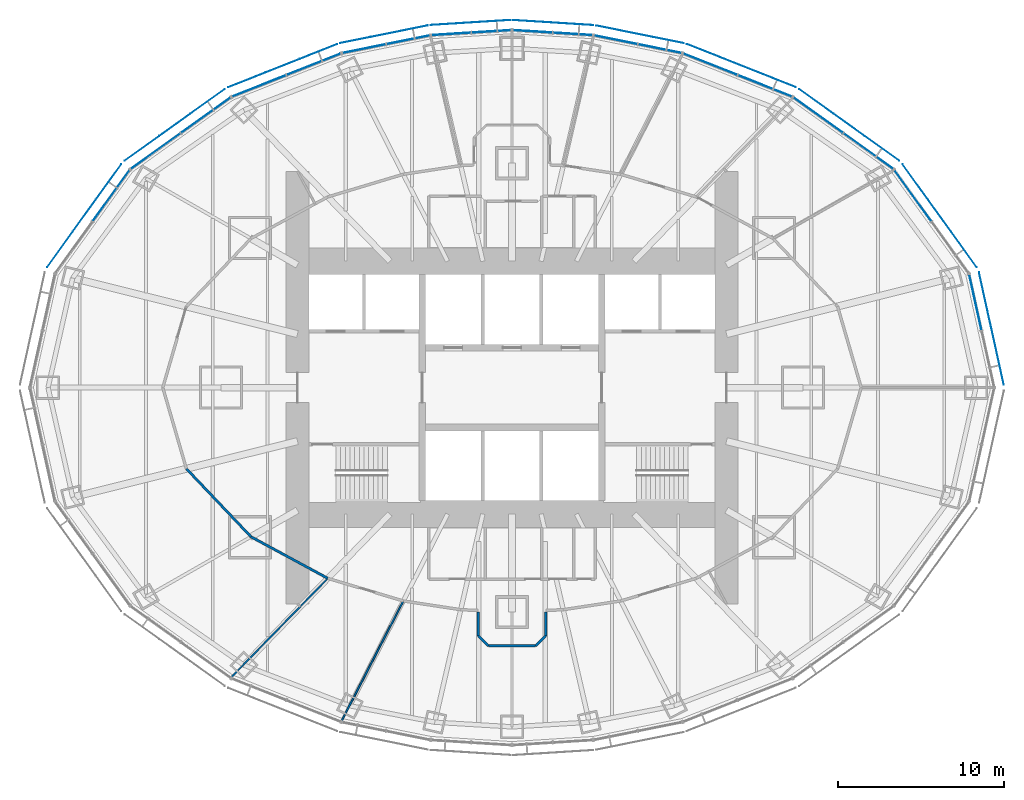
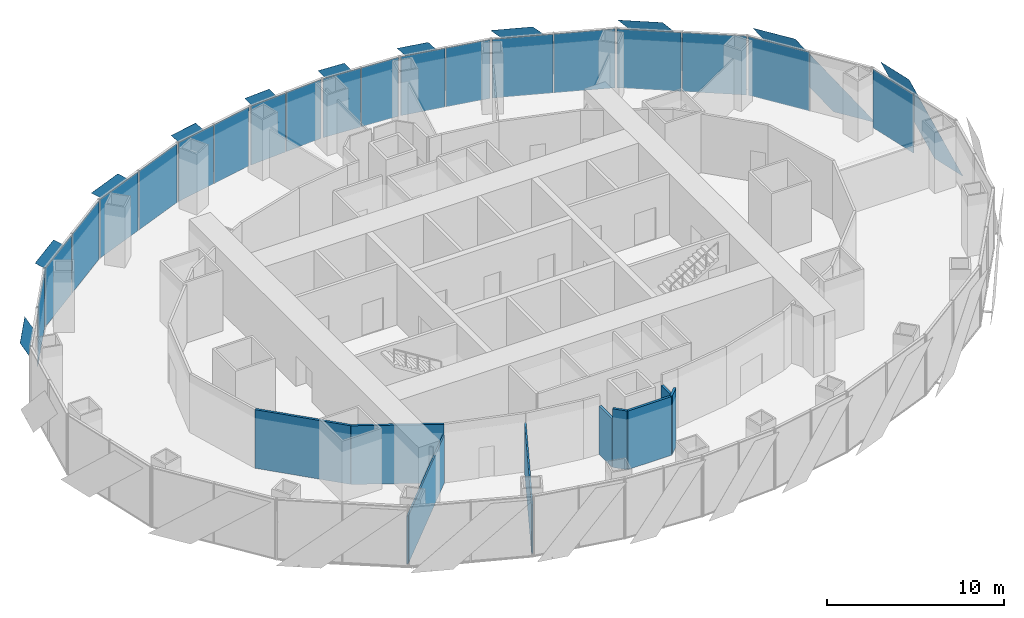
# One storey, part 10 of 18: 30 plates, 9 walls, 11 elements without a shape of their own.
"""IFC4 building model written with IfcOpenShell, lengths in metres."""

import ifcopenshell
import ifcopenshell.guid

model = None  # the IFC model being written
_history = None  # IfcOwnerHistory: only IFC2X3 demands one
_inside = {}  # id of a spatial element -> (the spatial element, [elements in it])
_under = {}  # id of a project, library or spatial element -> (it, [spatial elements below it])
_declared = {}  # id of a project -> (the project, [libraries it declares])
_typed = {}  # id of a type object -> (the type object, [elements of that type])
_made_of = {}  # id of a material, layer set ... -> (it, [elements and type objects made of it])


def new_model(schema):
    """Start an empty IFC model of exactly this schema.

    Asked for "IFC4X3", IfcOpenShell would pick the latest addendum, in which some entities
    have other attributes; the version numbers below select the first issue.
    IFC2X3 requires an IfcOwnerHistory on every rooted entity: one is made here for all.
    """
    global model, _history
    if schema == "IFC4X3":
        model = ifcopenshell.file(schema_version=(4, 3, 0, 0))
    else:
        model = ifcopenshell.file(schema=schema)
    _inside.clear()
    _under.clear()
    _declared.clear()
    _typed.clear()
    _made_of.clear()
    _history = None
    if model.schema == "IFC2X3":
        org = make("IfcOrganization", Name="unknown")
        user = make(
            "IfcPersonAndOrganization",
            ThePerson=make("IfcPerson", FamilyName="unknown"),
            TheOrganization=org,
        )
        app = make(
            "IfcApplication",
            ApplicationDeveloper=org,
            Version="unknown",
            ApplicationFullName="unknown",
            ApplicationIdentifier="unknown",
        )
        _history = make(
            "IfcOwnerHistory",
            OwningUser=user,
            OwningApplication=app,
            ChangeAction="ADDED",
            CreationDate=0,
        )
    return model


def make(cls, **values):
    """One entity of the class cls with the attributes given. An attribute that is None is left unset."""
    return model.create_entity(
        cls, **{name: value for name, value in values.items() if value is not None}
    )


def rooted(cls, **values):
    """An entity with a GlobalId (a new one), such as an element, a storey or a relation."""
    return make(cls, GlobalId=ifcopenshell.guid.new(), OwnerHistory=_history, **values)


def si_unit(unit_type, name, prefix=None):
    """IfcSIUnit, for example si_unit("LENGTHUNIT", "METRE", prefix="MILLI")."""
    return make("IfcSIUnit", UnitType=unit_type, Prefix=prefix, Name=name)


def assignment(units):
    """IfcUnitAssignment: the units of a project."""
    return None if units is None else make("IfcUnitAssignment", Units=units)


def point(xyz):
    """IfcCartesianPoint."""
    return None if xyz is None else make("IfcCartesianPoint", Coordinates=xyz)


def direction(xyz):
    """IfcDirection."""
    return None if xyz is None else make("IfcDirection", DirectionRatios=xyz)


def frame(location, z_axis=None, x_axis=None):
    """IfcAxis2Placement3D, a coordinate frame: its origin and axes. An axis left out is left unset."""
    return make(
        "IfcAxis2Placement3D",
        Location=point(location),
        Axis=direction(z_axis),
        RefDirection=direction(x_axis),
    )


def frame_2d(location, x_axis=None):
    """IfcAxis2Placement2D, a coordinate frame in the plane: its origin and x axis."""
    return make(
        "IfcAxis2Placement2D", Location=point(location), RefDirection=direction(x_axis)
    )


def origin():
    """The frame at (0, 0, 0) with its axes left unset."""
    return frame((0.0, 0.0, 0.0))


def origin_2d():
    """The frame at (0, 0) in the plane with its x axis left unset."""
    return frame_2d((0.0, 0.0))


def place(relative_to, where):
    """IfcLocalPlacement: puts the frame where relative to a parent placement (None: the world)."""
    return make(
        "IfcLocalPlacement", PlacementRelTo=relative_to, RelativePlacement=where
    )


def context(
    kind, dimensions, precision=None, world=None, true_north=None, identifier=None
):
    """IfcGeometricRepresentationContext, for example the 3D "Model" context."""
    return make(
        "IfcGeometricRepresentationContext",
        ContextIdentifier=identifier,
        ContextType=kind,
        CoordinateSpaceDimension=dimensions,
        Precision=precision,
        WorldCoordinateSystem=world,
        TrueNorth=true_north,
    )


def subcontext(parent, identifier, kind, view, scale=None):
    """IfcGeometricRepresentationSubContext, for example "Body" below "Model"."""
    return make(
        "IfcGeometricRepresentationSubContext",
        ContextIdentifier=identifier,
        ContextType=kind,
        ParentContext=parent,
        TargetScale=scale,
        TargetView=view,
    )


def project(units=None, contexts=None):
    """IfcProject with its units and contexts."""
    return rooted(
        "IfcProject",
        Name="project",
        RepresentationContexts=contexts,
        UnitsInContext=assignment(units),
    )


def spatial(cls, under=None, at=None, **own):
    """A site, building, storey or space (cls), placed at a placement, below another one or the project."""
    s = rooted(cls, ObjectPlacement=at, **own)
    if under is not None:
        _under.setdefault(under.id(), (under, []))[1].append(s)
    return s


def polyline(points):
    """IfcPolyline through the points."""
    return make("IfcPolyline", Points=[point(p) for p in points])


def profile(cls, at=None, kind="AREA", **sizes):
    """A parametric profile (cls). Its sizes go by their IFC names, for example OverallWidth=200.0."""
    return make(cls, ProfileType=kind, Position=at, **sizes)


def rectangle(**sizes):
    """IfcRectangleProfileDef."""
    return profile("IfcRectangleProfileDef", **sizes)


def outline(outer, holes=None, kind="AREA"):
    """IfcArbitraryClosedProfileDef: a profile drawn as a closed curve; with holes, ...WithVoids."""
    if holes is None:
        return make("IfcArbitraryClosedProfileDef", ProfileType=kind, OuterCurve=outer)
    return make(
        "IfcArbitraryProfileDefWithVoids",
        ProfileType=kind,
        OuterCurve=outer,
        InnerCurves=holes,
    )


def extrude(swept, where, along, depth):
    """IfcExtrudedAreaSolid: the profile swept, set in the frame where, extruded along a direction by depth."""
    return make(
        "IfcExtrudedAreaSolid",
        SweptArea=swept,
        Position=where,
        ExtrudedDirection=direction(along),
        Depth=depth,
    )


def shape(context_of_items, identifier, shape_type, items):
    """IfcShapeRepresentation: the items that make up one representation, for example the "Body"."""
    return make(
        "IfcShapeRepresentation",
        ContextOfItems=context_of_items,
        RepresentationIdentifier=identifier,
        RepresentationType=shape_type,
        Items=items,
    )


def material(Name=None, Category=None):
    """IfcMaterial."""
    return make("IfcMaterial", Name=Name, Category=Category)


def layer(
    of_material, thickness, ventilated=None, Name=None, Category=None, Priority=None
):
    """IfcMaterialLayer: one layer of a wall or slab, of a material (None: an air gap)."""
    return make(
        "IfcMaterialLayer",
        Material=of_material,
        LayerThickness=thickness,
        IsVentilated=ventilated,
        Name=Name,
        Category=Category,
        Priority=Priority,
    )


def layer_set(layers, Name=None):
    """IfcMaterialLayerSet."""
    return make("IfcMaterialLayerSet", MaterialLayers=layers, LayerSetName=Name)


def made_of(thing, what):
    """Note that an element or type object is made of a material, layer set ...; save() writes the relation."""
    if what is not None:
        _made_of.setdefault(what.id(), (what, []))[1].append(thing)
    return thing


def type_object(cls, material=None, **own):
    """A type object (cls), such as IfcWallType, which elements share."""
    return made_of(rooted(cls, **own), material)


def element(
    cls,
    number,
    at=None,
    inside=None,
    cuts=None,
    type_object=None,
    material=None,
    context=None,
    identifier="Body",
    shape_type=None,
    held_by="IfcProductDefinitionShape",
    body=None,
    shapes=None,
    **own,
):
    """One element of the class cls, such as IfcWall. Its Tag is "e" and its number.

    at: its placement. inside: the storey or other place that contains it. cuts: it is an
    opening in that element (IfcRelVoidsElement). A single representation is given by context,
    identifier, shape_type and body (its items); several are given by shapes. held_by: the class
    of the entity that holds the representations. save() writes the other relations.
    """
    e = rooted(cls, Tag="e%d" % number, ObjectPlacement=at, **own)
    if body is not None:
        shapes = [shape(context, identifier, shape_type, body)]
    if shapes is not None:
        e.Representation = make(held_by, Representations=shapes)
    if inside is not None:
        _inside.setdefault(inside.id(), (inside, []))[1].append(e)
    if cuts is not None:
        rooted(
            "IfcRelVoidsElement", RelatingBuildingElement=cuts, RelatedOpeningElement=e
        )
    if type_object is not None:
        _typed.setdefault(type_object.id(), (type_object, []))[1].append(e)
    return made_of(e, material)


def aggregate(whole, parts):
    """IfcRelAggregates: a whole, such as a stair, and the parts it consists of."""
    return rooted("IfcRelAggregates", RelatingObject=whole, RelatedObjects=parts)


def save(model, path):
    """Write the relations noted so far, then the file.

    IfcRelAggregates (storeys below a building ...), IfcRelContainedInSpatialStructure (elements
    in a storey), IfcRelDefinesByType, IfcRelAssociatesMaterial and IfcRelDeclares: one each for
    every whole, place, type object, material and project.
    """
    for whole, parts in _under.values():
        aggregate(whole, parts)
    for where, things in _inside.values():
        rooted(
            "IfcRelContainedInSpatialStructure",
            RelatedElements=things,
            RelatingStructure=where,
        )
    for kind, things in _typed.values():
        rooted("IfcRelDefinesByType", RelatedObjects=things, RelatingType=kind)
    for what, things in _made_of.values():
        rooted("IfcRelAssociatesMaterial", RelatedObjects=things, RelatingMaterial=what)
    for by, libraries in _declared.values():
        rooted("IfcRelDeclares", RelatingContext=by, RelatedDefinitions=libraries)
    model.write(path)


model = new_model("IFC4")

# Units and contexts
model_context = context("Model", 3, precision=1e-05, world=origin(), true_north=direction((0.0, 1.0)))
body_context = subcontext(model_context, "Body", "Model", "MODEL_VIEW")
ifc_project = project(units=[si_unit("LENGTHUNIT", "METRE"), si_unit("AREAUNIT", "SQUARE_METRE"), si_unit("VOLUMEUNIT", "CUBIC_METRE"), si_unit("PLANEANGLEUNIT", "RADIAN"), si_unit("MASSUNIT", "GRAM", prefix="KILO")], contexts=[model_context])

# Site, building, storey
site_placement = place(None, origin())
site = spatial("IfcSite", under=ifc_project, at=site_placement, CompositionType="ELEMENT")
building_placement = place(site_placement, origin())
building = spatial("IfcBuilding", under=site, at=building_placement, Name="Lantaw Convention Tower", CompositionType="ELEMENT")
storey_placement = place(building_placement, frame((0.0, 0.0, 184.60009765625)))
storey = spatial("IfcBuildingStorey", under=building, at=storey_placement, Name="L43", CompositionType="ELEMENT", Elevation=184.60009765625)

# Curtain wall, plate
ifc_material_1 = material(Name="Aluminium framed curtain wall", Category="aluminium")
curtain_wall_type = type_object("IfcCurtainWallType", Name="Office curtain wall low rise, pale aluminium", PredefinedType="USERDEFINED", material=ifc_material_1)
curtain_wall_1_placement = place(storey_placement, origin())
curtain_wall_1 = element("IfcCurtainWall", 1, at=curtain_wall_1_placement, inside=storey, type_object=curtain_wall_type, Name="Office curtain wall low rise, pale aluminium L43", ObjectType="UNITISED CURTAIN WALL", PredefinedType="USERDEFINED")
ifc_material_2 = material(Name="Clear insulating glass", Category="glass")
ifc_layer_1 = layer(ifc_material_2, 0.028076171875)
ifc_layer_set_1 = layer_set([ifc_layer_1], Name="CW-O1 panel 28")
plate_type_1 = type_object("IfcPlateType", Name="CW-O1 panel 28", PredefinedType="CURTAIN_PANEL", material=ifc_layer_set_1)
plate_1_placement = place(storey_placement, frame((27.868896484375, 5.1240234375, -0.0849609375), z_axis=(0.0, 0.0, 1.0), x_axis=(-0.215546166174, 0.9764936509, 0.0)))
plate_1 = element("IfcPlate", 2, at=plate_1_placement, type_object=plate_type_1, Name="CW-O1 panel 2.1", PredefinedType="CURTAIN_PANEL", context=body_context, shape_type="SweptSolid", body=[
    extrude(rectangle(XDim=3.41162109375, YDim=0.028076171875, at=origin_2d()), origin(), (0.0, 0.0, 1.0), 4.070068359375),
])
aggregate(curtain_wall_1, [plate_1])

curtain_wall_2_placement = place(storey_placement, origin())
curtain_wall_2 = element("IfcCurtainWall", 3, at=curtain_wall_2_placement, inside=storey, type_object=curtain_wall_type, Name="Office curtain wall low rise, pale aluminium L43", ObjectType="UNITISED CURTAIN WALL", PredefinedType="USERDEFINED")
plate_2_placement = place(storey_placement, frame((24.108154296875, 11.5439453125, -0.0849609375), z_axis=(0.0, 0.0, 1.0), x_axis=(-0.584512597221, 0.811384633629, 0.0)))
plate_2 = element("IfcPlate", 4, at=plate_2_placement, type_object=plate_type_1, Name="CW-O1 panel 2.1", PredefinedType="CURTAIN_PANEL", context=body_context, shape_type="SweptSolid", body=[
    extrude(rectangle(XDim=3.767333984375, YDim=0.028076171875, at=origin_2d()), origin(), (0.0, 0.0, 1.0), 4.070068359375),
])
aggregate(curtain_wall_2, [plate_2])

# Curtain wall, plates
curtain_wall_3_placement = place(storey_placement, origin())
curtain_wall_3 = element("IfcCurtainWall", 5, at=curtain_wall_3_placement, inside=storey, type_object=curtain_wall_type, Name="Office curtain wall low rise, pale aluminium L43", ObjectType="UNITISED CURTAIN WALL", PredefinedType="USERDEFINED")
plate_3_placement = place(storey_placement, frame((21.43408203125, 14.2236328125, -0.0849609375), z_axis=(0.0, 0.0, 1.0), x_axis=(-0.813208325995, 0.581972695693, 0.0)))
plate_3 = element("IfcPlate", 6, at=plate_3_placement, type_object=plate_type_1, Name="CW-O1 panel 1.1", PredefinedType="CURTAIN_PANEL", context=body_context, shape_type="SweptSolid", body=[
    extrude(rectangle(XDim=3.645263671875, YDim=0.028076171875, at=origin_2d()), origin(), (0.0, 0.0, 1.0), 4.070068359375),
])
plate_4_placement = place(storey_placement, frame((18.416748046875, 16.383056640625, -0.0849609375), z_axis=(0.0, 0.0, 1.0), x_axis=(-0.813208325995, 0.581972695693, 0.0)))
plate_4 = element("IfcPlate", 7, at=plate_4_placement, type_object=plate_type_1, Name="CW-O1 panel 2.1", PredefinedType="CURTAIN_PANEL", context=body_context, shape_type="SweptSolid", body=[
    extrude(rectangle(XDim=3.645263671875, YDim=0.028076171875, at=origin_2d()), origin(), (0.0, 0.0, 1.0), 4.070068359375),
])
aggregate(curtain_wall_3, [plate_3, plate_4])

curtain_wall_4_placement = place(storey_placement, origin())
curtain_wall_4 = element("IfcCurtainWall", 8, at=curtain_wall_4_placement, inside=storey, type_object=curtain_wall_type, Name="Office curtain wall low rise, pale aluminium L43", ObjectType="UNITISED CURTAIN WALL", PredefinedType="USERDEFINED")
plate_5_placement = place(storey_placement, frame((15.208251953125, 18.145263671875, -0.0849609375), z_axis=(0.0, 0.0, 1.0), x_axis=(-0.929547687544, 0.368701907483, 0.0)))
plate_5 = element("IfcPlate", 9, at=plate_5_placement, type_object=plate_type_1, Name="CW-O1 panel 1.1", PredefinedType="CURTAIN_PANEL", context=body_context, shape_type="SweptSolid", body=[
    extrude(rectangle(XDim=3.470703125, YDim=0.028076171875, at=origin_2d()), origin(), (0.0, 0.0, 1.0), 4.070068359375),
])
plate_6_placement = place(storey_placement, frame((11.921630859375, 19.448974609375, -0.0849609375), z_axis=(0.0, 0.0, 1.0), x_axis=(-0.929547687544, 0.368701907483, 0.0)))
plate_6 = element("IfcPlate", 10, at=plate_6_placement, type_object=plate_type_1, Name="CW-O1 panel 2.1", PredefinedType="CURTAIN_PANEL", context=body_context, shape_type="SweptSolid", body=[
    extrude(rectangle(XDim=3.470703125, YDim=0.028076171875, at=origin_2d()), origin(), (0.0, 0.0, 1.0), 4.070068359375),
])
aggregate(curtain_wall_4, [plate_5, plate_6])

curtain_wall_5_placement = place(storey_placement, origin())
curtain_wall_5 = element("IfcCurtainWall", 11, at=curtain_wall_5_placement, inside=storey, type_object=curtain_wall_type, Name="Office curtain wall low rise, pale aluminium L43", ObjectType="UNITISED CURTAIN WALL", PredefinedType="USERDEFINED")
plate_7_placement = place(storey_placement, frame((8.893310546875, 20.3857421875, -0.0849609375), z_axis=(0.0, 0.0, 1.0), x_axis=(-0.980301514912, 0.197506809659, 0.0)))
plate_7 = element("IfcPlate", 12, at=plate_7_placement, type_object=plate_type_1, Name="CW-O1 panel 1.1", PredefinedType="CURTAIN_PANEL", context=body_context, shape_type="SweptSolid", body=[
    extrude(rectangle(XDim=2.634033203125, YDim=0.028076171875, at=origin_2d()), origin(), (0.0, 0.0, 1.0), 4.070068359375),
])
plate_8_placement = place(storey_placement, frame((6.247314453125, 20.9189453125, -0.0849609375), z_axis=(0.0, 0.0, 1.0), x_axis=(-0.980301514912, 0.197506809659, 0.0)))
plate_8 = element("IfcPlate", 13, at=plate_8_placement, type_object=plate_type_1, Name="CW-O1 panel 2.1", PredefinedType="CURTAIN_PANEL", context=body_context, shape_type="SweptSolid", body=[
    extrude(rectangle(XDim=2.634033203125, YDim=0.028076171875, at=origin_2d()), origin(), (0.0, 0.0, 1.0), 4.070068359375),
])
aggregate(curtain_wall_5, [plate_7, plate_8])

curtain_wall_6_placement = place(storey_placement, origin())
curtain_wall_6 = element("IfcCurtainWall", 14, at=curtain_wall_6_placement, inside=storey, type_object=curtain_wall_type, Name="Office curtain wall low rise, pale aluminium L43", ObjectType="UNITISED CURTAIN WALL", PredefinedType="USERDEFINED")
plate_9_placement = place(storey_placement, frame((3.653076171875, 21.269775390625, -0.0849609375), z_axis=(0.0, 0.0, 1.0), x_axis=(-0.998022035978, 0.062865059466, 0.0)))
plate_9 = element("IfcPlate", 15, at=plate_9_placement, type_object=plate_type_1, Name="CW-O1 panel 1.1", PredefinedType="CURTAIN_PANEL", context=body_context, shape_type="SweptSolid", body=[
    extrude(rectangle(XDim=2.353515625, YDim=0.028076171875, at=origin_2d()), origin(), (0.0, 0.0, 1.0), 4.070068359375),
])
plate_10_placement = place(storey_placement, frame((1.2392578125, 21.421875, -0.0849609375), z_axis=(0.0, 0.0, 1.0), x_axis=(-0.998022035978, 0.062865059466, 0.0)))
plate_10 = element("IfcPlate", 16, at=plate_10_placement, type_object=plate_type_1, Name="CW-O1 panel 2.1", PredefinedType="CURTAIN_PANEL", context=body_context, shape_type="SweptSolid", body=[
    extrude(rectangle(XDim=2.353515625, YDim=0.028076171875, at=origin_2d()), origin(), (0.0, 0.0, 1.0), 4.070068359375),
])
aggregate(curtain_wall_6, [plate_9, plate_10])

curtain_wall_7_placement = place(storey_placement, origin())
curtain_wall_7 = element("IfcCurtainWall", 17, at=curtain_wall_7_placement, inside=storey, type_object=curtain_wall_type, Name="Office curtain wall low rise, pale aluminium L43", ObjectType="UNITISED CURTAIN WALL", PredefinedType="USERDEFINED")
plate_11_placement = place(storey_placement, frame((-1.2392578125, 21.421875, -0.0849609375), z_axis=(0.0, 0.0, 1.0), x_axis=(-0.998022035978, -0.062865059466, 0.0)))
plate_11 = element("IfcPlate", 18, at=plate_11_placement, type_object=plate_type_1, Name="CW-O1 panel 1.1", PredefinedType="CURTAIN_PANEL", context=body_context, shape_type="SweptSolid", body=[
    extrude(rectangle(XDim=2.353515625, YDim=0.028076171875, at=origin_2d()), origin(), (0.0, 0.0, 1.0), 4.070068359375),
])
plate_12_placement = place(storey_placement, frame((-3.653076171875, 21.269775390625, -0.0849609375), z_axis=(0.0, 0.0, 1.0), x_axis=(-0.998022035978, -0.062865059466, 0.0)))
plate_12 = element("IfcPlate", 19, at=plate_12_placement, type_object=plate_type_1, Name="CW-O1 panel 2.1", PredefinedType="CURTAIN_PANEL", context=body_context, shape_type="SweptSolid", body=[
    extrude(rectangle(XDim=2.353515625, YDim=0.028076171875, at=origin_2d()), origin(), (0.0, 0.0, 1.0), 4.070068359375),
])
aggregate(curtain_wall_7, [plate_11, plate_12])

curtain_wall_8_placement = place(storey_placement, origin())
curtain_wall_8 = element("IfcCurtainWall", 20, at=curtain_wall_8_placement, inside=storey, type_object=curtain_wall_type, Name="Office curtain wall low rise, pale aluminium L43", ObjectType="UNITISED CURTAIN WALL", PredefinedType="USERDEFINED")
plate_13_placement = place(storey_placement, frame((-6.247314453125, 20.9189453125, -0.0849609375), z_axis=(0.0, 0.0, 1.0), x_axis=(-0.980301514912, -0.197506809659, 0.0)))
plate_13 = element("IfcPlate", 21, at=plate_13_placement, type_object=plate_type_1, Name="CW-O1 panel 1.1", PredefinedType="CURTAIN_PANEL", context=body_context, shape_type="SweptSolid", body=[
    extrude(rectangle(XDim=2.634033203125, YDim=0.028076171875, at=origin_2d()), origin(), (0.0, 0.0, 1.0), 4.070068359375),
])
plate_14_placement = place(storey_placement, frame((-8.893310546875, 20.3857421875, -0.0849609375), z_axis=(0.0, 0.0, 1.0), x_axis=(-0.980301514912, -0.197506809659, 0.0)))
plate_14 = element("IfcPlate", 22, at=plate_14_placement, type_object=plate_type_1, Name="CW-O1 panel 2.1", PredefinedType="CURTAIN_PANEL", context=body_context, shape_type="SweptSolid", body=[
    extrude(rectangle(XDim=2.634033203125, YDim=0.028076171875, at=origin_2d()), origin(), (0.0, 0.0, 1.0), 4.070068359375),
])
aggregate(curtain_wall_8, [plate_13, plate_14])

curtain_wall_9_placement = place(storey_placement, origin())
curtain_wall_9 = element("IfcCurtainWall", 23, at=curtain_wall_9_placement, inside=storey, type_object=curtain_wall_type, Name="Office curtain wall low rise, pale aluminium L43", ObjectType="UNITISED CURTAIN WALL", PredefinedType="USERDEFINED")
plate_15_placement = place(storey_placement, frame((-11.921630859375, 19.448974609375, -0.0849609375), z_axis=(0.0, 0.0, 1.0), x_axis=(-0.929547687544, -0.368701907483, 0.0)))
plate_15 = element("IfcPlate", 24, at=plate_15_placement, type_object=plate_type_1, Name="CW-O1 panel 1.1", PredefinedType="CURTAIN_PANEL", context=body_context, shape_type="SweptSolid", body=[
    extrude(rectangle(XDim=3.470703125, YDim=0.028076171875, at=origin_2d()), origin(), (0.0, 0.0, 1.0), 4.070068359375),
])
plate_16_placement = place(storey_placement, frame((-15.208251953125, 18.145263671875, -0.0849609375), z_axis=(0.0, 0.0, 1.0), x_axis=(-0.929547687544, -0.368701907483, 0.0)))
plate_16 = element("IfcPlate", 25, at=plate_16_placement, type_object=plate_type_1, Name="CW-O1 panel 2.1", PredefinedType="CURTAIN_PANEL", context=body_context, shape_type="SweptSolid", body=[
    extrude(rectangle(XDim=3.470703125, YDim=0.028076171875, at=origin_2d()), origin(), (0.0, 0.0, 1.0), 4.070068359375),
])
aggregate(curtain_wall_9, [plate_15, plate_16])

curtain_wall_10_placement = place(storey_placement, origin())
curtain_wall_10 = element("IfcCurtainWall", 26, at=curtain_wall_10_placement, inside=storey, type_object=curtain_wall_type, Name="Office curtain wall low rise, pale aluminium L43", ObjectType="UNITISED CURTAIN WALL", PredefinedType="USERDEFINED")
plate_17_placement = place(storey_placement, frame((-18.416748046875, 16.383056640625, -0.0849609375), z_axis=(0.0, 0.0, 1.0), x_axis=(-0.813208325995, -0.581972695693, 0.0)))
plate_17 = element("IfcPlate", 27, at=plate_17_placement, type_object=plate_type_1, Name="CW-O1 panel 1.1", PredefinedType="CURTAIN_PANEL", context=body_context, shape_type="SweptSolid", body=[
    extrude(rectangle(XDim=3.645263671875, YDim=0.028076171875, at=origin_2d()), origin(), (0.0, 0.0, 1.0), 4.070068359375),
])
plate_18_placement = place(storey_placement, frame((-21.43408203125, 14.2236328125, -0.0849609375), z_axis=(0.0, 0.0, 1.0), x_axis=(-0.813208325995, -0.581972695693, 0.0)))
plate_18 = element("IfcPlate", 28, at=plate_18_placement, type_object=plate_type_1, Name="CW-O1 panel 2.1", PredefinedType="CURTAIN_PANEL", context=body_context, shape_type="SweptSolid", body=[
    extrude(rectangle(XDim=3.645263671875, YDim=0.028076171875, at=origin_2d()), origin(), (0.0, 0.0, 1.0), 4.070068359375),
])
aggregate(curtain_wall_10, [plate_17, plate_18])

# Curtain wall, plate
curtain_wall_11_placement = place(storey_placement, origin())
curtain_wall_11 = element("IfcCurtainWall", 29, at=curtain_wall_11_placement, inside=storey, type_object=curtain_wall_type, Name="Office curtain wall low rise, pale aluminium L43", ObjectType="UNITISED CURTAIN WALL", PredefinedType="USERDEFINED")
plate_19_placement = place(storey_placement, frame((-24.108154296875, 11.5439453125, -0.0849609375), z_axis=(0.0, 0.0, 1.0), x_axis=(-0.584512597221, -0.811384633629, 0.0)))
plate_19 = element("IfcPlate", 30, at=plate_19_placement, type_object=plate_type_1, Name="CW-O1 panel 1.1", PredefinedType="CURTAIN_PANEL", context=body_context, shape_type="SweptSolid", body=[
    extrude(rectangle(XDim=3.767333984375, YDim=0.028076171875, at=origin_2d()), origin(), (0.0, 0.0, 1.0), 4.070068359375),
])
aggregate(curtain_wall_11, [plate_19])

# Plates
ifc_material_3 = material(Name="Perforated aluminium sheet, pale silver finish", Category="aluminium")
ifc_layer_2 = layer(ifc_material_3, 0.006103515625)
ifc_layer_set_2 = layer_set([ifc_layer_2], Name="Perforated aluminium solar SCREEN panel")
plate_type_2 = type_object("IfcPlateType", Name="Perforated aluminium solar SCREEN panel", PredefinedType="SHEET", material=ifc_layer_set_2)
plate_20_placement = place(storey_placement, frame((29.5810546875, 0.179443359375, -0.175048828125), z_axis=(0.976497812463, 0.215527309509, 3.3329045e-05), x_axis=(-0.215527309629, 0.976497813005, 1.665e-09)))
element("IfcPlate", 31, at=plate_20_placement, inside=storey, type_object=plate_type_2, Name="Solar SCREEN panel", PredefinedType="SHEET", context=body_context, shape_type="SweptSolid", body=[
    extrude(outline(polyline([(0.0, 0.0), (2.3861843673609986, 0.0), (6.918240190546627, 4.339843740891906), (4.532108442157707, 4.339843748837556), (0.0, 0.0)])), origin(), (0.0, 0.0, -1.0), 0.006103515625),
])
plate_21_placement = place(storey_placement, frame((27.94970703125, 7.248046875, -0.175048828125), z_axis=(0.81139512159, 0.584498037099, 3.5888803e-05), x_axis=(-0.584498037475, 0.811395122112, -9.74e-10)))
element("IfcPlate", 32, at=plate_21_placement, inside=storey, type_object=plate_type_2, Name="Solar SCREEN panel", PredefinedType="SHEET", context=body_context, shape_type="SweptSolid", body=[
    extrude(outline(polyline([(0.0, 0.0), (2.628222178575422, -6.776263578034403e-21), (7.629778257969264, 4.339843760228519), (5.001754173906077, 4.339843755107391), (0.0, 0.0)])), origin(), (0.0, 0.0, -1.0), 0.006103515625),
])
plate_22_placement = place(storey_placement, frame((23.281005859375, 13.64697265625, -0.175048828125), z_axis=(0.582000183937, 0.813188653244, 1.1537794e-05), x_axis=(-0.813188653298, 0.582000183975, 0.0)))
element("IfcPlate", 33, at=plate_22_placement, inside=storey, type_object=plate_type_2, Name="Solar SCREEN panel", PredefinedType="SHEET", context=body_context, shape_type="SweptSolid", body=[
    extrude(outline(polyline([(0.0, 0.0), (2.5450183911586484, 1.6940658945086007e-21), (7.385531276904658, 4.339843750288861), (4.840512885746009, 4.339843750288861), (0.0, 0.0)])), origin(), (0.0, 0.0, -1.0), 0.006103515625),
])
plate_23_placement = place(storey_placement, frame((17.05859375, 18.063232421875, -0.175048828125), z_axis=(-0.368708915367, -0.929544907797, 1.0867661e-05), x_axis=(-0.929544907851, 0.368708915389, 7.1e-10)))
element("IfcPlate", 34, at=plate_23_placement, inside=storey, type_object=plate_type_2, Name="Solar SCREEN panel", PredefinedType="SHEET", context=body_context, shape_type="SweptSolid", body=[
    extrude(outline(polyline([(0.0, 0.0), (2.4263803793049097, 0.0), (7.036549629566982, -4.339843745261612), (4.61003232741235, -4.339843748706285), (0.0, 0.0)])), origin(), (0.0, 0.0, -1.0), 0.006103515625),
])
plate_24_placement = place(storey_placement, frame((10.318603515625, 20.716796875, -0.175048828125), z_axis=(0.197556725442, 0.980291455983, 3.9485719e-05), x_axis=(-0.980291456747, 0.197556725596, 0.0)))
element("IfcPlate", 35, at=plate_24_placement, inside=storey, type_object=plate_type_2, Name="Solar SCREEN panel", PredefinedType="SHEET", context=body_context, shape_type="SweptSolid", body=[
    extrude(outline(polyline([(0.0, 0.0), (1.8574075788555457, 1.6940658945086007e-21), (5.362987026845185, 4.339843753383173), (3.505579447989639, 4.339843753383173), (0.0, 0.0)])), origin(), (0.0, 0.0, -1.0), 0.006103515625),
])
plate_25_placement = place(storey_placement, frame((4.880615234375, 21.7998046875, -0.175048828125), z_axis=(0.062838799866, 0.998023689713, 1.755158e-06), x_axis=(-0.998023689715, 0.062838799866, -8e-12)))
element("IfcPlate", 36, at=plate_25_placement, inside=storey, type_object=plate_type_2, Name="Solar SCREEN panel", PredefinedType="SHEET", context=body_context, shape_type="SweptSolid", body=[
    extrude(outline(polyline([(0.0, 0.0), (1.6666243269452135, 2.6469779601696886e-23), (4.802214797186689, 4.339843750045478), (3.135346812114104, 4.33984375001855), (0.0, 0.0)])), origin(), (0.0, 0.0, -1.0), 0.006103515625),
])
plate_26_placement = place(storey_placement, frame((-0.087890625, 22.1015625, -0.175048828125), z_axis=(0.062838799866, -0.998023689713, 1.755158e-06), x_axis=(-0.998023689715, -0.062838799866, 8e-12)))
element("IfcPlate", 37, at=plate_26_placement, inside=storey, type_object=plate_type_2, Name="Solar SCREEN panel", PredefinedType="SHEET", context=body_context, shape_type="SweptSolid", body=[
    extrude(outline(polyline([(0.0, 0.0), (1.6668679850725854, -5.293955920339377e-23), (4.802214797256801, -4.339843749967897), (3.1355904703115876, -4.339843749994822), (0.0, 0.0)])), origin(), (0.0, 0.0, -1.0), 0.006103515625),
])
plate_27_placement = place(storey_placement, frame((-5.061279296875, 21.776123046875, -0.175048828125), z_axis=(0.197556725442, -0.980291455983, 3.9485719e-05), x_axis=(-0.980291456747, -0.197556725596, 0.0)))
element("IfcPlate", 38, at=plate_27_placement, inside=storey, type_object=plate_type_2, Name="Solar SCREEN panel", PredefinedType="SHEET", context=body_context, shape_type="SweptSolid", body=[
    extrude(outline(polyline([(0.0, 0.0), (1.8574075788555457, -1.6940658945086007e-21), (5.362987026845185, -4.339843753383173), (3.505579447989639, -4.339843753383173), (0.0, 0.0)])), origin(), (0.0, 0.0, -1.0), 0.006103515625),
])
plate_28_placement = place(storey_placement, frame((-10.517822265625, 20.65771484375, -0.175048828125), z_axis=(-0.368708915367, 0.929544907797, 1.0867661e-05), x_axis=(-0.929544907851, -0.368708915389, -7.1e-10)))
element("IfcPlate", 39, at=plate_28_placement, inside=storey, type_object=plate_type_2, Name="Solar SCREEN panel", PredefinedType="SHEET", context=body_context, shape_type="SweptSolid", body=[
    extrude(outline(polyline([(0.0, 0.0), (2.426517302154632, 1.6940658945086007e-21), (7.036549623406159, 4.339843755250667), (4.610169244101249, 4.339843751806188), (0.0, 0.0)])), origin(), (0.0, 0.0, -1.0), 0.006103515625),
])
plate_29_placement = place(storey_placement, frame((-17.275146484375, 17.9453125, -0.175048828125), z_axis=(0.582000183937, -0.813188653244, 1.1537794e-05), x_axis=(-0.813188653298, -0.582000183975, 0.0)))
element("IfcPlate", 40, at=plate_29_placement, inside=storey, type_object=plate_type_2, Name="Solar SCREEN panel", PredefinedType="SHEET", context=body_context, shape_type="SweptSolid", body=[
    extrude(outline(polyline([(0.0, 0.0), (2.5450183911586484, -1.6940658945086007e-21), (7.385531276904658, -4.339843750288861), (4.840512885746009, -4.339843750288861), (0.0, 0.0)])), origin(), (0.0, 0.0, -1.0), 0.006103515625),
])
plate_30_placement = place(storey_placement, frame((-23.489990234375, 13.438720703125, -0.175048828125), z_axis=(0.81139512159, -0.584498037099, 3.5888803e-05), x_axis=(-0.584498037475, -0.811395122112, 9.74e-10)))
element("IfcPlate", 41, at=plate_30_placement, inside=storey, type_object=plate_type_2, Name="Solar SCREEN panel", PredefinedType="SHEET", context=body_context, shape_type="SweptSolid", body=[
    extrude(outline(polyline([(0.0, 0.0), (2.6280240840631874, 6.776263578034403e-21), (7.62977826642615, -4.339843745360666), (5.001556087850728, -4.3398437504821805), (0.0, 0.0)])), origin(), (0.0, 0.0, -1.0), 0.006103515625),
])

# Walls
ifc_material_4 = material(Name="Gypsum board on steel studs, fire rated", Category="steel")
ifc_layer_3 = layer(ifc_material_4, 0.14990234375)
ifc_layer_set_3 = layer_set([ifc_layer_3], Name="Corridor wall 150 EI 60")
wall_type_1 = type_object("IfcWallType", Name="Corridor wall 150 EI 60", PredefinedType="PARTITIONING", material=ifc_layer_set_3)
wall_1_placement = place(storey_placement, frame((-19.5791015625, -4.881591796875, 0.0), z_axis=(0.0, 0.0, 1.0), x_axis=(0.688797257101, -0.72495402517, 0.0)))
element("IfcWall", 42, at=wall_1_placement, inside=storey, type_object=wall_type_1, Name="Corridor wall 150", PredefinedType="PARTITIONING", context=body_context, shape_type="SweptSolid", body=[
    extrude(rectangle(XDim=5.63818359375, YDim=0.14990234375, at=frame_2d((2.819091796875, 0.0))), origin(), (0.0, 0.0, 1.0), 4.0498046875),
])
wall_2_placement = place(storey_placement, frame((-15.695556640625, -8.968994140625, 0.0), z_axis=(0.0, 0.0, 1.0), x_axis=(0.879436285334, -0.476016617397, 0.0)))
element("IfcWall", 43, at=wall_2_placement, inside=storey, type_object=wall_type_1, Name="Corridor wall 150", PredefinedType="PARTITIONING", context=body_context, shape_type="SweptSolid", body=[
    extrude(rectangle(XDim=5.2529296875, YDim=0.14990234375, at=frame_2d((2.62646484375, 0.0))), origin(), (0.0, 0.0, 1.0), 4.0498046875),
])
for number, where, z_axis, x_axis, name in (
    (44, (-2.02490234375, -14.924560546875, 0.0), (0.0, 0.0, 1.0), (0.0, 1.0, 0.0), "Corridor wall 150"),
    (45, (2.02490234375, -13.505126953125, 0.0), (0.0, 0.0, 1.0), (0.0, -1.0, 0.0), "Corridor wall 150"),
):
    element("IfcWall", number, at=place(storey_placement, frame(where, z_axis=z_axis, x_axis=x_axis)), inside=storey, type_object=wall_type_1, Name=name, PredefinedType="PARTITIONING", context=body_context, shape_type="SweptSolid", body=[
        extrude(rectangle(XDim=1.41943359375, YDim=0.14990234375, at=frame_2d((0.709716796875, 0.0))), origin(), (0.0, 0.0, 1.0), 3.36669921875),
    ])
wall_3_placement = place(storey_placement, frame((2.02490234375, -14.924560546875, 0.0), z_axis=(0.0, 0.0, 1.0), x_axis=(-0.707106781187, -0.707106781187, 0.0)))
element("IfcWall", 46, at=wall_3_placement, inside=storey, type_object=wall_type_1, Name="Corridor wall 150", PredefinedType="PARTITIONING", context=body_context, shape_type="SweptSolid", body=[
    extrude(rectangle(XDim=0.84912109375, YDim=0.14990234375, at=frame_2d((0.424560546875, 0.0))), origin(), (0.0, 0.0, 1.0), 4.0498046875),
])
wall_4_placement = place(storey_placement, frame((1.424560546875, -15.52490234375, 0.0), z_axis=(0.0, 0.0, 1.0), x_axis=(-1.0, 0.0, 0.0)))
element("IfcWall", 47, at=wall_4_placement, inside=storey, type_object=wall_type_1, Name="Corridor wall 150", PredefinedType="PARTITIONING", context=body_context, shape_type="SweptSolid", body=[
    extrude(rectangle(XDim=2.84912109375, YDim=0.14990234375, at=frame_2d((1.424560546875, 0.0))), origin(), (0.0, 0.0, 1.0), 4.0498046875),
])
wall_5_placement = place(storey_placement, frame((-1.424560546875, -15.52490234375, 0.0), z_axis=(0.0, 0.0, 1.0), x_axis=(-0.707106781187, 0.707106781187, 0.0)))
element("IfcWall", 48, at=wall_5_placement, inside=storey, type_object=wall_type_1, Name="Corridor wall 150", PredefinedType="PARTITIONING", context=body_context, shape_type="SweptSolid", body=[
    extrude(rectangle(XDim=0.84912109375, YDim=0.14990234375, at=frame_2d((0.424560546875, 0.0))), origin(), (0.0, 0.0, 1.0), 4.0498046875),
])
ifc_material_5 = material(Name="Gypsum board on steel studs, acoustic", Category="steel")
ifc_layer_4 = layer(ifc_material_5, 0.10009765625)
ifc_layer_set_4 = layer_set([ifc_layer_4], Name="Office partition 100")
wall_type_2 = type_object("IfcWallType", Name="Office partition 100", PredefinedType="PARTITIONING", material=ifc_layer_set_4)
wall_6_placement = place(storey_placement, frame((-16.88232421875, -17.413818359375, 0.0), z_axis=(0.0, 0.0, 1.0), x_axis=(0.698758056249, 0.715358077348, 0.0)))
element("IfcWall", 49, at=wall_6_placement, inside=storey, type_object=wall_type_2, Name="Office partition 100", PredefinedType="PARTITIONING", context=body_context, shape_type="SweptSolid", body=[
    extrude(rectangle(XDim=8.3095703125, YDim=0.10009765625, at=frame_2d((4.15478515625, 0.0))), origin(), (0.0, 0.0, 1.0), 3.32080078125),
])
wall_7_placement = place(storey_placement, frame((-10.253173828125, -20.0517578125, 0.0), z_axis=(0.0, 0.0, 1.0), x_axis=(0.457535449567, 0.889191381194, 0.0)))
element("IfcWall", 50, at=wall_7_placement, inside=storey, type_object=wall_type_2, Name="Office partition 100", PredefinedType="PARTITIONING", context=body_context, shape_type="SweptSolid", body=[
    extrude(rectangle(XDim=8.12255859375, YDim=0.10009765625, at=frame_2d((4.061279296875, 0.0))), origin(), (0.0, 0.0, 1.0), 3.348876953125),
])

save(model, "model.ifc")
